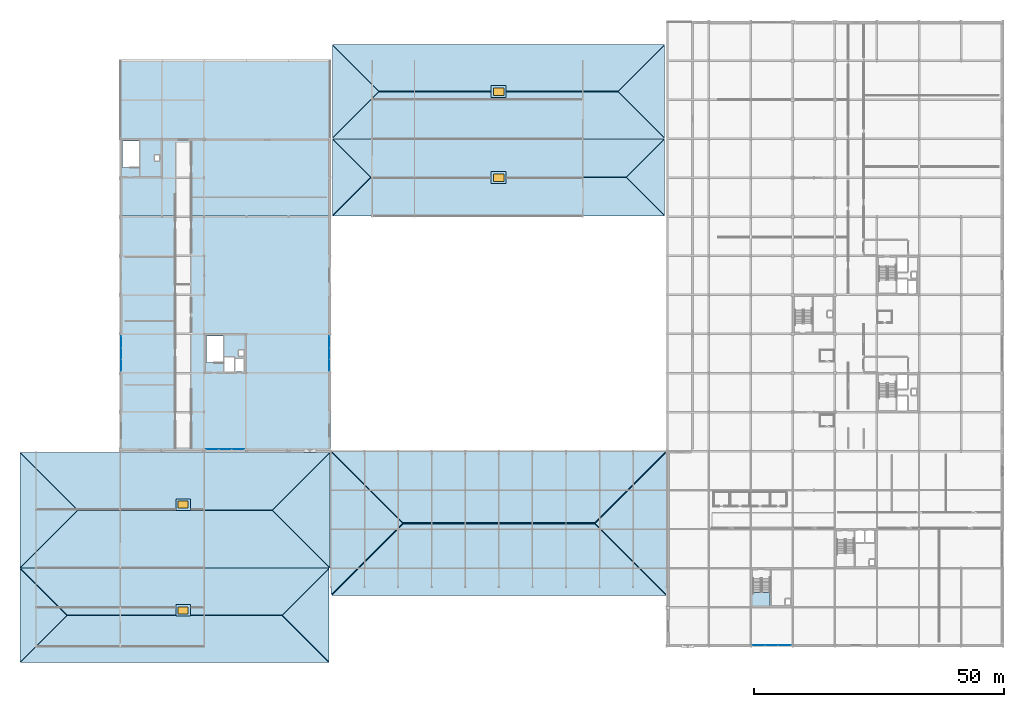
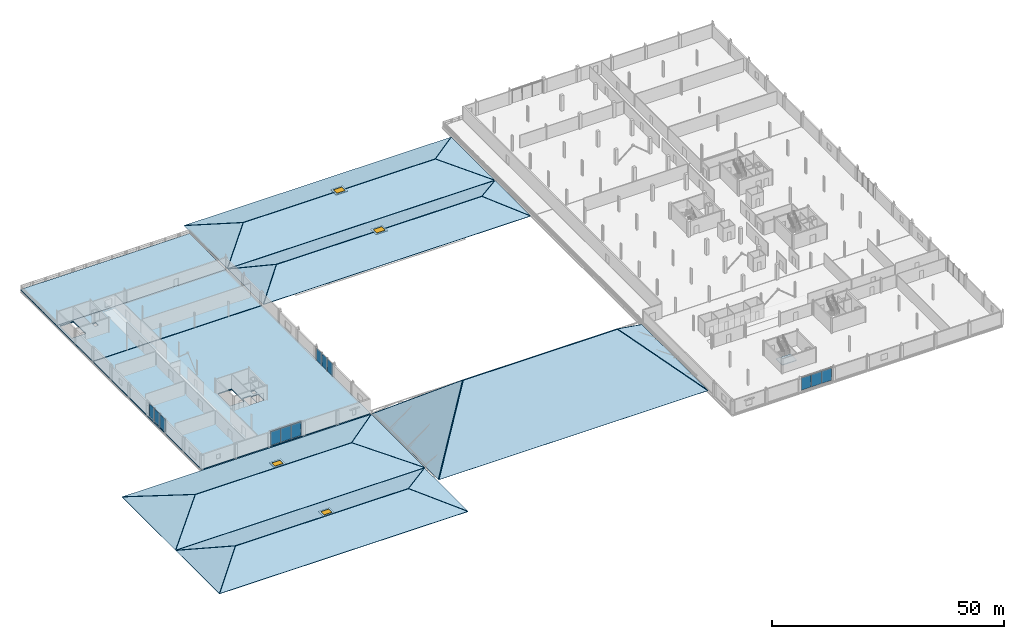
# One storey, part 52 of 77: 28 slabs, 12 plates, 4 windows, 4 openings, 5 elements without a shape of their own.
"""IFC4 building model written with IfcOpenShell, lengths in metres."""

import ifcopenshell
import ifcopenshell.guid

model = None  # the IFC model being written
_history = None  # IfcOwnerHistory: only IFC2X3 demands one
_inside = {}  # id of a spatial element -> (the spatial element, [elements in it])
_under = {}  # id of a project, library or spatial element -> (it, [spatial elements below it])
_declared = {}  # id of a project -> (the project, [libraries it declares])
_typed = {}  # id of a type object -> (the type object, [elements of that type])
_made_of = {}  # id of a material, layer set ... -> (it, [elements and type objects made of it])


def new_model(schema):
    """Start an empty IFC model of exactly this schema.

    Asked for "IFC4X3", IfcOpenShell would pick the latest addendum, in which some entities
    have other attributes; the version numbers below select the first issue.
    IFC2X3 requires an IfcOwnerHistory on every rooted entity: one is made here for all.
    """
    global model, _history
    if schema == "IFC4X3":
        model = ifcopenshell.file(schema_version=(4, 3, 0, 0))
    else:
        model = ifcopenshell.file(schema=schema)
    _inside.clear()
    _under.clear()
    _declared.clear()
    _typed.clear()
    _made_of.clear()
    _history = None
    if model.schema == "IFC2X3":
        org = make("IfcOrganization", Name="unknown")
        user = make(
            "IfcPersonAndOrganization",
            ThePerson=make("IfcPerson", FamilyName="unknown"),
            TheOrganization=org,
        )
        app = make(
            "IfcApplication",
            ApplicationDeveloper=org,
            Version="unknown",
            ApplicationFullName="unknown",
            ApplicationIdentifier="unknown",
        )
        _history = make(
            "IfcOwnerHistory",
            OwningUser=user,
            OwningApplication=app,
            ChangeAction="ADDED",
            CreationDate=0,
        )
    return model


def make(cls, **values):
    """One entity of the class cls with the attributes given. An attribute that is None is left unset."""
    return model.create_entity(
        cls, **{name: value for name, value in values.items() if value is not None}
    )


def rooted(cls, **values):
    """An entity with a GlobalId (a new one), such as an element, a storey or a relation."""
    return make(cls, GlobalId=ifcopenshell.guid.new(), OwnerHistory=_history, **values)


def si_unit(unit_type, name, prefix=None):
    """IfcSIUnit, for example si_unit("LENGTHUNIT", "METRE", prefix="MILLI")."""
    return make("IfcSIUnit", UnitType=unit_type, Prefix=prefix, Name=name)


def assignment(units):
    """IfcUnitAssignment: the units of a project."""
    return None if units is None else make("IfcUnitAssignment", Units=units)


def point(xyz):
    """IfcCartesianPoint."""
    return None if xyz is None else make("IfcCartesianPoint", Coordinates=xyz)


def direction(xyz):
    """IfcDirection."""
    return None if xyz is None else make("IfcDirection", DirectionRatios=xyz)


def frame(location, z_axis=None, x_axis=None):
    """IfcAxis2Placement3D, a coordinate frame: its origin and axes. An axis left out is left unset."""
    return make(
        "IfcAxis2Placement3D",
        Location=point(location),
        Axis=direction(z_axis),
        RefDirection=direction(x_axis),
    )


def frame_2d(location, x_axis=None):
    """IfcAxis2Placement2D, a coordinate frame in the plane: its origin and x axis."""
    return make(
        "IfcAxis2Placement2D", Location=point(location), RefDirection=direction(x_axis)
    )


def origin():
    """The frame at (0, 0, 0) with its axes left unset."""
    return frame((0.0, 0.0, 0.0))


def origin_2d():
    """The frame at (0, 0) in the plane with its x axis left unset."""
    return frame_2d((0.0, 0.0))


def place(relative_to, where):
    """IfcLocalPlacement: puts the frame where relative to a parent placement (None: the world)."""
    return make(
        "IfcLocalPlacement", PlacementRelTo=relative_to, RelativePlacement=where
    )


def context(
    kind, dimensions, precision=None, world=None, true_north=None, identifier=None
):
    """IfcGeometricRepresentationContext, for example the 3D "Model" context."""
    return make(
        "IfcGeometricRepresentationContext",
        ContextIdentifier=identifier,
        ContextType=kind,
        CoordinateSpaceDimension=dimensions,
        Precision=precision,
        WorldCoordinateSystem=world,
        TrueNorth=true_north,
    )


def subcontext(parent, identifier, kind, view, scale=None):
    """IfcGeometricRepresentationSubContext, for example "Body" below "Model"."""
    return make(
        "IfcGeometricRepresentationSubContext",
        ContextIdentifier=identifier,
        ContextType=kind,
        ParentContext=parent,
        TargetScale=scale,
        TargetView=view,
    )


def project(units=None, contexts=None):
    """IfcProject with its units and contexts."""
    return rooted(
        "IfcProject",
        Name="project",
        RepresentationContexts=contexts,
        UnitsInContext=assignment(units),
    )


def spatial(cls, under=None, at=None, **own):
    """A site, building, storey or space (cls), placed at a placement, below another one or the project."""
    s = rooted(cls, ObjectPlacement=at, **own)
    if under is not None:
        _under.setdefault(under.id(), (under, []))[1].append(s)
    return s


def polyline(points):
    """IfcPolyline through the points."""
    return make("IfcPolyline", Points=[point(p) for p in points])


def profile(cls, at=None, kind="AREA", **sizes):
    """A parametric profile (cls). Its sizes go by their IFC names, for example OverallWidth=200.0."""
    return make(cls, ProfileType=kind, Position=at, **sizes)


def rectangle(**sizes):
    """IfcRectangleProfileDef."""
    return profile("IfcRectangleProfileDef", **sizes)


def outline(outer, holes=None, kind="AREA"):
    """IfcArbitraryClosedProfileDef: a profile drawn as a closed curve; with holes, ...WithVoids."""
    if holes is None:
        return make("IfcArbitraryClosedProfileDef", ProfileType=kind, OuterCurve=outer)
    return make(
        "IfcArbitraryProfileDefWithVoids",
        ProfileType=kind,
        OuterCurve=outer,
        InnerCurves=holes,
    )


def extrude(swept, where, along, depth):
    """IfcExtrudedAreaSolid: the profile swept, set in the frame where, extruded along a direction by depth."""
    return make(
        "IfcExtrudedAreaSolid",
        SweptArea=swept,
        Position=where,
        ExtrudedDirection=direction(along),
        Depth=depth,
    )


def shape(context_of_items, identifier, shape_type, items):
    """IfcShapeRepresentation: the items that make up one representation, for example the "Body"."""
    return make(
        "IfcShapeRepresentation",
        ContextOfItems=context_of_items,
        RepresentationIdentifier=identifier,
        RepresentationType=shape_type,
        Items=items,
    )


def material(Name=None, Category=None):
    """IfcMaterial."""
    return make("IfcMaterial", Name=Name, Category=Category)


def layer(
    of_material, thickness, ventilated=None, Name=None, Category=None, Priority=None
):
    """IfcMaterialLayer: one layer of a wall or slab, of a material (None: an air gap)."""
    return make(
        "IfcMaterialLayer",
        Material=of_material,
        LayerThickness=thickness,
        IsVentilated=ventilated,
        Name=Name,
        Category=Category,
        Priority=Priority,
    )


def layer_set(layers, Name=None):
    """IfcMaterialLayerSet."""
    return make("IfcMaterialLayerSet", MaterialLayers=layers, LayerSetName=Name)


def made_of(thing, what):
    """Note that an element or type object is made of a material, layer set ...; save() writes the relation."""
    if what is not None:
        _made_of.setdefault(what.id(), (what, []))[1].append(thing)
    return thing


def type_object(cls, material=None, **own):
    """A type object (cls), such as IfcWallType, which elements share."""
    return made_of(rooted(cls, **own), material)


def element(
    cls,
    number,
    at=None,
    inside=None,
    cuts=None,
    type_object=None,
    material=None,
    context=None,
    identifier="Body",
    shape_type=None,
    held_by="IfcProductDefinitionShape",
    body=None,
    shapes=None,
    **own,
):
    """One element of the class cls, such as IfcWall. Its Tag is "e" and its number.

    at: its placement. inside: the storey or other place that contains it. cuts: it is an
    opening in that element (IfcRelVoidsElement). A single representation is given by context,
    identifier, shape_type and body (its items); several are given by shapes. held_by: the class
    of the entity that holds the representations. save() writes the other relations.
    """
    e = rooted(cls, Tag="e%d" % number, ObjectPlacement=at, **own)
    if body is not None:
        shapes = [shape(context, identifier, shape_type, body)]
    if shapes is not None:
        e.Representation = make(held_by, Representations=shapes)
    if inside is not None:
        _inside.setdefault(inside.id(), (inside, []))[1].append(e)
    if cuts is not None:
        rooted(
            "IfcRelVoidsElement", RelatingBuildingElement=cuts, RelatedOpeningElement=e
        )
    if type_object is not None:
        _typed.setdefault(type_object.id(), (type_object, []))[1].append(e)
    return made_of(e, material)


def fill(opening, filler):
    """IfcRelFillsElement: the door or window that sits in an opening."""
    return rooted(
        "IfcRelFillsElement",
        RelatingOpeningElement=opening,
        RelatedBuildingElement=filler,
    )


def aggregate(whole, parts):
    """IfcRelAggregates: a whole, such as a stair, and the parts it consists of."""
    return rooted("IfcRelAggregates", RelatingObject=whole, RelatedObjects=parts)


def save(model, path):
    """Write the relations noted so far, then the file.

    IfcRelAggregates (storeys below a building ...), IfcRelContainedInSpatialStructure (elements
    in a storey), IfcRelDefinesByType, IfcRelAssociatesMaterial and IfcRelDeclares: one each for
    every whole, place, type object, material and project.
    """
    for whole, parts in _under.values():
        aggregate(whole, parts)
    for where, things in _inside.values():
        rooted(
            "IfcRelContainedInSpatialStructure",
            RelatedElements=things,
            RelatingStructure=where,
        )
    for kind, things in _typed.values():
        rooted("IfcRelDefinesByType", RelatedObjects=things, RelatingType=kind)
    for what, things in _made_of.values():
        rooted("IfcRelAssociatesMaterial", RelatedObjects=things, RelatingMaterial=what)
    for by, libraries in _declared.values():
        rooted("IfcRelDeclares", RelatingContext=by, RelatedDefinitions=libraries)
    model.write(path)


model = new_model("IFC4")

# Units and contexts
model_context = context("Model", 3, precision=1e-05, world=origin(), true_north=direction((0.0, 1.0)))
body_context = subcontext(model_context, "Body", "Model", "MODEL_VIEW")
ifc_project = project(units=[si_unit("LENGTHUNIT", "METRE"), si_unit("AREAUNIT", "SQUARE_METRE"), si_unit("VOLUMEUNIT", "CUBIC_METRE"), si_unit("PLANEANGLEUNIT", "RADIAN"), si_unit("MASSUNIT", "GRAM", prefix="KILO")], contexts=[model_context])

# Site, building, storey
site_placement = place(None, origin())
site = spatial("IfcSite", under=ifc_project, at=site_placement, CompositionType="ELEMENT")
building_placement = place(site_placement, origin())
building = spatial("IfcBuilding", under=site, at=building_placement, Name="Nabrawat Pavilion Hospital", CompositionType="ELEMENT")
storey_placement = place(building_placement, frame((0.0, 0.0, 14.85009765625)))
storey = spatial("IfcBuildingStorey", under=building, at=storey_placement, Name="L03", CompositionType="ELEMENT", Elevation=14.85009765625)

# Curtain wall, plates
ifc_material_1 = material(Name="Anodised Aluminium", Category="aluminium")
curtain_wall_type_1 = type_object("IfcCurtainWallType", Name="Emergency Concourse Glazed Screen", PredefinedType="USERDEFINED", material=ifc_material_1)
curtain_wall_1_placement = place(storey_placement, origin())
curtain_wall_1 = element("IfcCurtainWall", 1, at=curtain_wall_1_placement, inside=storey, type_object=curtain_wall_type_1, Name="L03 Emergency Concourse Glazed Screen 140", ObjectType="CURTAIN WALL", PredefinedType="USERDEFINED")
ifc_material_2 = material(Name="Double-Glazed Low-E Glass", Category="glass")
ifc_layer_1 = layer(ifc_material_2, 0.030029296875, Name="Double-Glazed Low-E Glass")
ifc_layer_set_1 = layer_set([ifc_layer_1], Name="Double-Glazed Low-E Glass")
plate_type_1 = type_object("IfcPlateType", Name="Emergency Concourse Glazed Screen Low-E Solar Panel 30", PredefinedType="CURTAIN_PANEL", material=ifc_layer_set_1)
plate_1_placement = place(storey_placement, frame((17.02001953125, 56.1474609375, 0.06982421875), z_axis=(0.0, 0.0, 1.0), x_axis=(0.0, 1.0, 0.0)))
plate_1 = element("IfcPlate", 2, at=plate_1_placement, type_object=plate_type_1, Name="CW-ED-01 panel 1.1", PredefinedType="CURTAIN_PANEL", context=body_context, shape_type="SweptSolid", body=[
    extrude(rectangle(XDim=2.264892578125, YDim=0.030029296875, at=origin_2d()), origin(), (0.0, 0.0, 1.0), 3.300048828125),
])
plate_2_placement = place(storey_placement, frame((17.02001953125, 58.5, 0.06982421875), z_axis=(0.0, 0.0, 1.0), x_axis=(0.0, 1.0, 0.0)))
plate_2 = element("IfcPlate", 3, at=plate_2_placement, type_object=plate_type_1, Name="CW-ED-01 panel 2.1", PredefinedType="CURTAIN_PANEL", context=body_context, shape_type="SweptSolid", body=[
    extrude(rectangle(XDim=2.300048828125, YDim=0.030029296875, at=origin_2d()), origin(), (0.0, 0.0, 1.0), 3.300048828125),
])
plate_3_placement = place(storey_placement, frame((17.02001953125, 60.8525390625, 0.06982421875), z_axis=(0.0, 0.0, 1.0), x_axis=(0.0, 1.0, 0.0)))
plate_3 = element("IfcPlate", 4, at=plate_3_placement, type_object=plate_type_1, Name="CW-ED-01 panel 3.1", PredefinedType="CURTAIN_PANEL", context=body_context, shape_type="SweptSolid", body=[
    extrude(rectangle(XDim=2.264892578125, YDim=0.030029296875, at=origin_2d()), origin(), (0.0, 0.0, 1.0), 3.300048828125),
])
aggregate(curtain_wall_1, [plate_1, plate_2, plate_3])

curtain_wall_2_placement = place(storey_placement, origin())
curtain_wall_2 = element("IfcCurtainWall", 5, at=curtain_wall_2_placement, inside=storey, type_object=curtain_wall_type_1, Name="L03 Emergency Concourse Glazed Screen 141", ObjectType="CURTAIN WALL", PredefinedType="USERDEFINED")
plate_4_placement = place(storey_placement, frame((35.230712890625, 39.340087890625, 0.070068359375), z_axis=(0.0, 0.0, 1.0), x_axis=(1.0, 0.0, 0.0)))
plate_4 = element("IfcPlate", 6, at=plate_4_placement, type_object=plate_type_1, Name="CW-ED-01 panel 1.1", PredefinedType="CURTAIN_PANEL", context=body_context, shape_type="SweptSolid", body=[
    extrude(rectangle(XDim=2.481689453125, YDim=0.030029296875, at=origin_2d()), origin(), (0.0, 0.0, 1.0), 3.6298828125),
])
plate_5_placement = place(storey_placement, frame((37.800048828125, 39.340087890625, 0.070068359375), z_axis=(0.0, 0.0, 1.0), x_axis=(1.0, 0.0, 0.0)))
plate_5 = element("IfcPlate", 7, at=plate_5_placement, type_object=plate_type_1, Name="CW-ED-01 panel 2.1", PredefinedType="CURTAIN_PANEL", context=body_context, shape_type="SweptSolid", body=[
    extrude(rectangle(XDim=2.5166015625, YDim=0.030029296875, at=origin_2d()), origin(), (0.0, 0.0, 1.0), 3.6298828125),
])
plate_6_placement = place(storey_placement, frame((40.369140625, 39.340087890625, 0.070068359375), z_axis=(0.0, 0.0, 1.0), x_axis=(1.0, 0.0, 0.0)))
plate_6 = element("IfcPlate", 8, at=plate_6_placement, type_object=plate_type_1, Name="CW-ED-01 panel 3.1", PredefinedType="CURTAIN_PANEL", context=body_context, shape_type="SweptSolid", body=[
    extrude(rectangle(XDim=2.481689453125, YDim=0.030029296875, at=origin_2d()), origin(), (0.0, 0.0, 1.0), 3.6298828125),
])
aggregate(curtain_wall_2, [plate_4, plate_5, plate_6])

curtain_wall_3_placement = place(storey_placement, origin())
curtain_wall_3 = element("IfcCurtainWall", 9, at=curtain_wall_3_placement, inside=storey, type_object=curtain_wall_type_1, Name="L03 Emergency Concourse Glazed Screen 142", ObjectType="CURTAIN WALL", PredefinedType="USERDEFINED")
plate_7_placement = place(storey_placement, frame((58.580078125, 56.1474609375, 0.06982421875), z_axis=(0.0, 0.0, 1.0), x_axis=(0.0, 1.0, 0.0)))
plate_7 = element("IfcPlate", 10, at=plate_7_placement, type_object=plate_type_1, Name="CW-ED-01 panel 1.1", PredefinedType="CURTAIN_PANEL", context=body_context, shape_type="SweptSolid", body=[
    extrude(rectangle(XDim=2.264892578125, YDim=0.030029296875, at=origin_2d()), origin(), (0.0, 0.0, 1.0), 3.300048828125),
])
plate_8_placement = place(storey_placement, frame((58.580078125, 58.5, 0.06982421875), z_axis=(0.0, 0.0, 1.0), x_axis=(0.0, 1.0, 0.0)))
plate_8 = element("IfcPlate", 11, at=plate_8_placement, type_object=plate_type_1, Name="CW-ED-01 panel 2.1", PredefinedType="CURTAIN_PANEL", context=body_context, shape_type="SweptSolid", body=[
    extrude(rectangle(XDim=2.300048828125, YDim=0.030029296875, at=origin_2d()), origin(), (0.0, 0.0, 1.0), 3.300048828125),
])
plate_9_placement = place(storey_placement, frame((58.580078125, 60.8525390625, 0.06982421875), z_axis=(0.0, 0.0, 1.0), x_axis=(0.0, 1.0, 0.0)))
plate_9 = element("IfcPlate", 12, at=plate_9_placement, type_object=plate_type_1, Name="CW-ED-01 panel 3.1", PredefinedType="CURTAIN_PANEL", context=body_context, shape_type="SweptSolid", body=[
    extrude(rectangle(XDim=2.264892578125, YDim=0.030029296875, at=origin_2d()), origin(), (0.0, 0.0, 1.0), 3.300048828125),
])
aggregate(curtain_wall_3, [plate_7, plate_8, plate_9])

# Slabs
ifc_material_3 = material(Name="Concrete C35/45", Category="concrete")
ifc_layer_2 = layer(ifc_material_3, 0.22998046875, Name="Concrete C35/45")
ifc_layer_set_2 = layer_set([ifc_layer_2], Name="Concrete C35/45")
slab_type_1 = type_object("IfcSlabType", Name="Exterior Clinical Terrace Slab 230", PredefinedType="FLOOR", material=ifc_layer_set_2)
slab_1_placement = place(storey_placement, frame((0.0, 0.0, -0.22998046875)))
element("IfcSlab", 13, at=slab_1_placement, inside=storey, type_object=slab_type_1, Name="L03 Walkable Clinical Terrace Slab T_L03_V3_NORTH", PredefinedType="FLOOR", context=body_context, shape_type="SweptSolid", body=[
    extrude(outline(polyline([(58.800048828125, 101.39990234375), (58.800048828125, 117.0), (16.800048828125, 117.0), (16.800048828125, 101.39990234375), (58.800048828125, 101.39990234375)])), origin(), (0.0, 0.0, 1.0), 0.22998046875),
])
ifc_layer_3 = layer(ifc_material_3, 0.219970703125, Name="Concrete C35/45")
ifc_layer_set_3 = layer_set([ifc_layer_3], Name="Concrete C35/45")
slab_type_2 = type_object("IfcSlabType", Name="Main Hall Hipped Roof Deck Slab 220", PredefinedType="ROOF", material=ifc_layer_set_3)
slab_2_placement = place(storey_placement, frame((59.089111328125, 10.199951171875, 0.0), z_axis=(0.0, -0.659146231985, 0.75201479032), x_axis=(1.0, 0.0, 0.0)))
element("IfcSlab", 14, at=slab_2_placement, inside=storey, type_object=slab_type_2, Name="Main Hall Pavilion South Hipped Roof Facet", PredefinedType="ROOF", context=body_context, shape_type="SweptSolid", body=[
    extrude(outline(polyline([(0.0, 0.0), (66.721923828125, 0.0), (52.48486328125, 18.930590418725746), (14.23681640625, 18.930590418725746), (0.0, 0.0)])), origin(), (0.0, 0.0, -1.0), 0.219970703125),
])
slab_3_placement = place(storey_placement, frame((125.81103515625, 38.949951171875, 0.0), z_axis=(0.0, 0.659152624719, 0.752009186996), x_axis=(-1.0, 0.0, 0.0)))
element("IfcSlab", 15, at=slab_3_placement, inside=storey, type_object=slab_type_2, Name="Main Hall Pavilion North Hipped Roof Facet", PredefinedType="ROOF", context=body_context, shape_type="SweptSolid", body=[
    extrude(outline(polyline([(0.0, 0.0), (66.721923828125, 0.0), (52.485107421875, 18.930406822048823), (14.237060546875, 18.930406822048823), (0.0, 0.0)])), origin(), (0.0, 0.0, -1.0), 0.219970703125),
])
slab_4_placement = place(storey_placement, frame((58.949951171875, 38.81103515625, 0.0), z_axis=(-0.659146231985, 0.0, 0.75201479032), x_axis=(0.0, -1.0, 0.0)))
element("IfcSlab", 16, at=slab_4_placement, inside=storey, type_object=slab_type_2, Name="Main Hall Pavilion West Hipped Roof Facet", PredefinedType="ROOF", context=body_context, shape_type="SweptSolid", body=[
    extrude(outline(polyline([(0.0, 0.0), (28.471923828125, 0.0), (14.236083984375, 18.93059041872575), (0.0, 0.0)])), origin(), (0.0, 0.0, -1.0), 0.219970703125),
])
slab_5_placement = place(storey_placement, frame((125.949951171875, 10.339111328125, 0.0), z_axis=(0.659152624719, 0.0, 0.752009186996), x_axis=(0.0, 1.0, 0.0)))
element("IfcSlab", 17, at=slab_5_placement, inside=storey, type_object=slab_type_2, Name="Main Hall Pavilion East Hipped Roof Facet", PredefinedType="ROOF", context=body_context, shape_type="SweptSolid", body=[
    extrude(outline(polyline([(0.0, 0.0), (28.471923828125, 0.0), (14.23583984375, 18.930406822048827), (0.0, 0.0)])), origin(), (0.0, 0.0, -1.0), 0.219970703125),
])

# Curtain wall, plates
curtain_wall_type_2 = type_object("IfcCurtainWallType", Name="Outpatient Boulevard Curtain Wall", PredefinedType="USERDEFINED", material=ifc_material_1)
curtain_wall_4_placement = place(storey_placement, origin())
curtain_wall_4 = element("IfcCurtainWall", 18, at=curtain_wall_4_placement, inside=storey, type_object=curtain_wall_type_2, Name="L03 Outpatient Boulevard Curtain Wall 143", ObjectType="CURTAIN WALL", PredefinedType="USERDEFINED")
ifc_layer_4 = layer(ifc_material_2, 0.02392578125, Name="Double-Glazed Low-E Glass")
ifc_layer_set_4 = layer_set([ifc_layer_4], Name="Double-Glazed Low-E Glass")
plate_type_2 = type_object("IfcPlateType", Name="Outpatient Boulevard Curtain Wall Low-E Solar Panel 24", PredefinedType="CURTAIN_PANEL", material=ifc_layer_set_4)
plate_10_placement = place(storey_placement, frame((144.42822265625, 0.219970703125, 0.06005859375), z_axis=(0.0, 0.0, 1.0), x_axis=(1.0, 0.0, 0.0)))
plate_10 = element("IfcPlate", 19, at=plate_10_placement, type_object=plate_type_2, Name="CW-OPC-01 panel 1.1", PredefinedType="CURTAIN_PANEL", context=body_context, shape_type="SweptSolid", body=[
    extrude(rectangle(XDim=2.49658203125, YDim=0.02392578125, at=origin_2d()), origin(), (0.0, 0.0, 1.0), 3.280029296875),
])
plate_11_placement = place(storey_placement, frame((147.0, 0.219970703125, 0.06005859375), z_axis=(0.0, 0.0, 1.0), x_axis=(1.0, 0.0, 0.0)))
plate_11 = element("IfcPlate", 20, at=plate_11_placement, type_object=plate_type_2, Name="CW-OPC-01 panel 2.1", PredefinedType="CURTAIN_PANEL", context=body_context, shape_type="SweptSolid", body=[
    extrude(rectangle(XDim=2.526611328125, YDim=0.02392578125, at=origin_2d()), origin(), (0.0, 0.0, 1.0), 3.280029296875),
])
plate_12_placement = place(storey_placement, frame((149.57177734375, 0.219970703125, 0.06005859375), z_axis=(0.0, 0.0, 1.0), x_axis=(1.0, 0.0, 0.0)))
plate_12 = element("IfcPlate", 21, at=plate_12_placement, type_object=plate_type_2, Name="CW-OPC-01 panel 3.1", PredefinedType="CURTAIN_PANEL", context=body_context, shape_type="SweptSolid", body=[
    extrude(rectangle(XDim=2.49658203125, YDim=0.02392578125, at=origin_2d()), origin(), (0.0, 0.0, 1.0), 3.280029296875),
])
aggregate(curtain_wall_4, [plate_10, plate_11, plate_12])

# Slabs
ifc_layer_5 = layer(ifc_material_3, 0.179931640625, Name="Concrete C35/45")
ifc_layer_set_5 = layer_set([ifc_layer_5], Name="Concrete C35/45")
slab_type_3 = type_object("IfcSlabType", Name="Pavilion Hipped Roof Deck Slab 180", PredefinedType="ROOF", material=ifc_layer_set_5)
slab_6_placement = place(storey_placement, frame((-3.1416015625, -3.199951171875, 0.0), z_axis=(0.0, -0.357627793396, 0.933864209289), x_axis=(1.0, 0.0, 0.0)))
element("IfcSlab", 22, at=slab_6_placement, inside=storey, type_object=slab_type_3, Name="Emergency South Pavilion South Hipped Roof Facet", PredefinedType="ROOF", context=body_context, shape_type="SweptSolid", body=[
    extrude(outline(polyline([(0.0, 0.0), (61.63330078125, 0.0), (52.29052734375, 10.00311677164337), (9.342529296875, 10.00311677164337), (0.0, 0.0)])), origin(), (0.0, 0.0, -1.0), 0.179931640625),
])
slab_7_placement = place(storey_placement, frame((58.49169921875, 15.60009765625, 0.0), z_axis=(0.0, 0.357619642403, 0.93386733071), x_axis=(-1.0, 0.0, 0.0)))
element("IfcSlab", 23, at=slab_7_placement, inside=storey, type_object=slab_type_3, Name="Emergency South Pavilion North Hipped Roof Facet", PredefinedType="ROOF", context=body_context, shape_type="SweptSolid", body=[
    extrude(outline(polyline([(0.0, 0.0), (61.63330078125, 0.0), (52.290771484375, 10.003344766216127), (9.3427734375, 10.003344766216127), (0.0, 0.0)])), origin(), (0.0, 0.0, -1.0), 0.179931640625),
])
for number, where, z_axis, x_axis, name in (
    (24, (-3.199951171875, 15.54150390625, 0.0), (-0.357627793396, 0.0, 0.933864209289), (0.0, -1.0, 0.0), "Emergency South Pavilion West Hipped Roof Facet"),
    (25, (58.550048828125, -3.1416015625, 0.0), (0.357627793396, 0.0, 0.933864209289), (0.0, 1.0, 0.0), "Emergency South Pavilion East Hipped Roof Facet"),
):
    element("IfcSlab", number, at=place(storey_placement, frame(where, z_axis=z_axis, x_axis=x_axis)), inside=storey, type_object=slab_type_3, Name=name, PredefinedType="ROOF", context=body_context, shape_type="SweptSolid", body=[
        extrude(outline(polyline([(0.0, 0.0), (18.68310546875, 0.0), (9.341552734375, 10.00311677164337), (0.0, 0.0)])), origin(), (0.0, 0.0, -1.0), 0.179931640625),
    ])
for number, where, z_axis, x_axis, name in (
    (26, (-3.15234375, 15.64990234375, 0.0), (0.0, -0.297571094176, 0.954699661627), (1.0, 0.0, 0.0), "Emergency North Pavilion South Hipped Roof Facet"),
    (27, (58.67236328125, 38.75, 0.0), (0.0, 0.297571094176, 0.954699661627), (-1.0, 0.0, 0.0), "Emergency North Pavilion North Hipped Roof Facet"),
):
    element("IfcSlab", number, at=place(storey_placement, frame(where, z_axis=z_axis, x_axis=x_axis)), inside=storey, type_object=slab_type_3, Name=name, PredefinedType="ROOF", context=body_context, shape_type="SweptSolid", body=[
        extrude(outline(polyline([(0.0, 0.0), (61.82470703125, 0.0), (50.3212890625, 12.048230316375422), (11.50341796875, 12.048230316375422), (0.0, 0.0)])), origin(), (0.0, 0.0, -1.0), 0.179931640625),
    ])
for number, where, z_axis, x_axis, name in (
    (28, (-3.199951171875, 38.702392578125, 0.0), (-0.297571094176, 0.0, 0.954699661627), (0.0, -1.0, 0.0), "Emergency North Pavilion West Hipped Roof Facet"),
    (29, (58.719970703125, 15.697509765625, 0.0), (0.297571094176, 0.0, 0.954699661627), (0.0, 1.0, 0.0), "Emergency North Pavilion East Hipped Roof Facet"),
):
    element("IfcSlab", number, at=place(storey_placement, frame(where, z_axis=z_axis, x_axis=x_axis)), inside=storey, type_object=slab_type_3, Name=name, PredefinedType="ROOF", context=body_context, shape_type="SweptSolid", body=[
        extrude(outline(polyline([(0.0, 0.0), (23.0048828125, 0.0), (11.50244140625, 12.048230316375419), (0.0, 0.0)])), origin(), (0.0, 0.0, -1.0), 0.179931640625),
    ])
slab_8_placement = place(storey_placement, frame((59.26318359375, 86.0, 0.0), z_axis=(0.0, -0.383741116468, 0.923440715765), x_axis=(1.0, 0.0, 0.0)))
element("IfcSlab", 30, at=slab_8_placement, inside=storey, type_object=slab_type_3, Name="Diagnostic South Pavilion South Hipped Roof Facet", PredefinedType="ROOF", context=body_context, shape_type="SweptSolid", body=[
    extrude(outline(polyline([(0.0, 0.0), (66.273681640625, 0.0), (58.6357421875, 8.270117139355698), (7.6376953125, 8.270117139355698), (0.0, 0.0)])), origin(), (0.0, 0.0, -1.0), 0.179931640625),
])
slab_9_placement = place(storey_placement, frame((125.536865234375, 101.39990234375, 0.0), z_axis=(0.0, 0.38375157779, 0.923436368433), x_axis=(-1.0, 0.0, 0.0)))
element("IfcSlab", 31, at=slab_9_placement, inside=storey, type_object=slab_type_3, Name="Diagnostic South Pavilion North Hipped Roof Facet", PredefinedType="ROOF", context=body_context, shape_type="SweptSolid", body=[
    extrude(outline(polyline([(0.0, 0.0), (66.273681640625, 0.0), (58.635986328125, 8.269891690492873), (7.637939453125, 8.269891690492873), (0.0, 0.0)])), origin(), (0.0, 0.0, -1.0), 0.179931640625),
])
for number, where, z_axis, x_axis, name in (
    (32, (59.199951171875, 101.3369140625, 0.0), (-0.383741116468, 0.0, 0.923440715765), (0.0, -1.0, 0.0), "Diagnostic South Pavilion West Hipped Roof Facet"),
    (33, (125.60009765625, 86.06298828125, 0.0), (0.383741116468, 0.0, 0.923440715765), (0.0, 1.0, 0.0), "Diagnostic South Pavilion East Hipped Roof Facet"),
):
    element("IfcSlab", number, at=place(storey_placement, frame(where, z_axis=z_axis, x_axis=x_axis)), inside=storey, type_object=slab_type_3, Name=name, PredefinedType="ROOF", context=body_context, shape_type="SweptSolid", body=[
        extrude(outline(polyline([(0.0, 0.0), (15.27392578125, 0.0), (7.636962890625, 8.270117139355698), (0.0, 0.0)])), origin(), (0.0, 0.0, -1.0), 0.179931640625),
    ])
for number, where, z_axis, x_axis, name in (
    (34, (59.252197265625, 101.47998046875, 0.0), (0.0, -0.323492965648, 0.946230575059), (1.0, 0.0, 0.0), "Diagnostic North Pavilion South Hipped Roof Facet"),
    (35, (125.5478515625, 120.199951171875, 0.0), (0.0, 0.323492965648, 0.946230575059), (-1.0, 0.0, 0.0), "Diagnostic North Pavilion North Hipped Roof Facet"),
):
    element("IfcSlab", number, at=place(storey_placement, frame(where, z_axis=z_axis, x_axis=x_axis)), inside=storey, type_object=slab_type_3, Name=name, PredefinedType="ROOF", context=body_context, shape_type="SweptSolid", body=[
        extrude(outline(polyline([(0.0, 0.0), (66.295654296875, 0.0), (56.98681640625, 9.836779294037086), (9.308837890625, 9.836779294037086), (0.0, 0.0)])), origin(), (0.0, 0.0, -1.0), 0.179931640625),
    ])
slab_10_placement = place(storey_placement, frame((59.199951171875, 120.147705078125, 0.0), z_axis=(-0.323492965648, 0.0, 0.946230575059), x_axis=(0.0, -1.0, 0.0)))
element("IfcSlab", 36, at=slab_10_placement, inside=storey, type_object=slab_type_3, Name="Diagnostic North Pavilion West Hipped Roof Facet", PredefinedType="ROOF", context=body_context, shape_type="SweptSolid", body=[
    extrude(outline(polyline([(0.0, 0.0), (18.615478515625, 0.0), (9.3076171875, 9.836779294037084), (0.0, 0.0)])), origin(), (0.0, 0.0, -1.0), 0.179931640625),
])
slab_11_placement = place(storey_placement, frame((125.60009765625, 101.5322265625, 0.0), z_axis=(0.323492965648, 0.0, 0.946230575059), x_axis=(0.0, 1.0, 0.0)))
element("IfcSlab", 37, at=slab_11_placement, inside=storey, type_object=slab_type_3, Name="Diagnostic North Pavilion East Hipped Roof Facet", PredefinedType="ROOF", context=body_context, shape_type="SweptSolid", body=[
    extrude(outline(polyline([(0.0, 0.0), (18.615478515625, 0.0), (9.307861328125, 9.836779294037084), (0.0, 0.0)])), origin(), (0.0, 0.0, -1.0), 0.179931640625),
])

# Stair, slab
stair_type = type_object("IfcStairType", Name="Core Dogleg Escape Stair Assembly", PredefinedType="HALF_TURN_STAIR", material=ifc_material_3)
stair_placement = place(storey_placement, origin())
stair = element("IfcStair", 38, at=stair_placement, inside=storey, type_object=stair_type, Name="L03 Outpatient West Escape Stair Core 8", PredefinedType="HALF_TURN_STAIR")
ifc_layer_6 = layer(ifc_material_3, 0.199951171875, Name="Concrete C35/45")
ifc_layer_set_6 = layer_set([ifc_layer_6], Name="Concrete C35/45")
slab_type_4 = type_object("IfcSlabType", Name="Reinforced Concrete Stair Half-Landing 200", PredefinedType="LANDING", material=ifc_layer_set_6)
slab_12_placement = place(storey_placement, frame((0.0, 0.0, 1.824951171875)))
slab_12 = element("IfcSlab", 39, at=slab_12_placement, type_object=slab_type_4, Name="ST-08 landing 1", PredefinedType="LANDING", context=body_context, shape_type="SweptSolid", body=[
    extrude(outline(polyline([(146.669921875, 8.080078125), (146.669921875, 10.780029296875), (143.080078125, 10.780029296875), (143.080078125, 8.080078125), (146.669921875, 8.080078125)])), origin(), (0.0, 0.0, 1.0), 0.199951171875),
])
aggregate(stair, [slab_12])

# Slab, opening, window
ifc_layer_7 = layer(ifc_material_3, 0.18994140625, Name="Concrete C35/45")
ifc_layer_set_7 = layer_set([ifc_layer_7], Name="Concrete C35/45")
slab_type_5 = type_object("IfcSlabType", Name="Rooflight Monitor Flat Roof Slab 190", PredefinedType="ROOF", material=ifc_layer_set_7)
slab_13_placement = place(storey_placement, frame((0.0, 0.0, 3.5654296875)))
slab_13 = element("IfcSlab", 40, at=slab_13_placement, inside=storey, type_object=slab_type_5, Name="L03 Pavilion Clerestory Skylight Curb Slab 01", PredefinedType="ROOF", context=body_context, shape_type="SweptSolid", body=[
    extrude(outline(polyline([(27.949951171875, 6.050048828125), (30.85009765625, 6.050048828125), (30.85009765625, 8.35009765625), (27.949951171875, 8.35009765625), (27.949951171875, 6.050048828125)]), holes=[polyline([(28.39990234375, 6.5), (28.39990234375, 7.89990234375), (30.39990234375, 7.89990234375), (30.39990234375, 6.5), (28.39990234375, 6.5)])]), origin(), (0.0, 0.0, 1.0), 0.190185546875),
])
opening_1_placement = place(slab_13_placement, frame((29.39990234375, 7.199951171875, -0.010009765625)))
opening_1 = element("IfcOpeningElement", 41, at=opening_1_placement, cuts=slab_13, Name="Opening SKY-02", PredefinedType="OPENING", context=body_context, shape_type="SweptSolid", body=[
    extrude(rectangle(XDim=2.0, YDim=1.39990234375, at=origin_2d()), origin(), (0.0, 0.0, 1.0), 0.210205078125),
])
ifc_material_4 = material(Name="Thermally Broken Aluminium and Solar Glass", Category="aluminium")
window_type_1 = type_object("IfcWindowType", Name="Emergency Pavilion Clerestory Skylight 2000x1400", PartitioningType="SINGLE_PANEL", PredefinedType="SKYLIGHT", material=ifc_material_4)
window_1_placement = place(opening_1_placement, frame((0.0, 0.0, 0.150146484375)))
window_1 = element("IfcWindow", 42, at=window_1_placement, inside=storey, type_object=window_type_1, Name="L03 Roof Daylight Skylight 07", OverallHeight=1.39990234375, OverallWidth=2.0, PartitioningType="SINGLE_PANEL", PredefinedType="SKYLIGHT", context=body_context, shape_type="SweptSolid", body=[
    extrude(rectangle(XDim=2.0, YDim=1.39990234375, at=origin_2d()), origin(), (0.0, 0.0, 1.0), 0.050048828125),
])
fill(opening_1, window_1)

slab_14_placement = place(storey_placement, frame((0.0, 0.0, 3.572265625)))
slab_14 = element("IfcSlab", 43, at=slab_14_placement, inside=storey, type_object=slab_type_5, Name="L03 Pavilion Clerestory Skylight Curb Slab 02", PredefinedType="ROOF", context=body_context, shape_type="SweptSolid", body=[
    extrude(outline(polyline([(27.949951171875, 27.14990234375), (30.85009765625, 27.14990234375), (30.85009765625, 29.449951171875), (27.949951171875, 29.449951171875), (27.949951171875, 27.14990234375)]), holes=[polyline([(28.39990234375, 27.60009765625), (28.39990234375, 29.0), (30.39990234375, 29.0), (30.39990234375, 27.60009765625), (28.39990234375, 27.60009765625)])]), origin(), (0.0, 0.0, 1.0), 0.18994140625),
])
opening_2_placement = place(slab_14_placement, frame((29.39990234375, 28.300048828125, -0.010009765625)))
opening_2 = element("IfcOpeningElement", 44, at=opening_2_placement, cuts=slab_14, Name="Opening SKY-02", PredefinedType="OPENING", context=body_context, shape_type="SweptSolid", body=[
    extrude(rectangle(XDim=2.0, YDim=1.39990234375, at=origin_2d()), origin(), (0.0, 0.0, 1.0), 0.2099609375),
])
window_2_placement = place(opening_2_placement, frame((0.0, 0.0, 0.14990234375)))
window_2 = element("IfcWindow", 45, at=window_2_placement, inside=storey, type_object=window_type_1, Name="L03 Roof Daylight Skylight 08", OverallHeight=1.39990234375, OverallWidth=2.0, PartitioningType="SINGLE_PANEL", PredefinedType="SKYLIGHT", context=body_context, shape_type="SweptSolid", body=[
    extrude(rectangle(XDim=2.0, YDim=1.39990234375, at=origin_2d()), origin(), (0.0, 0.0, 1.0), 0.050048828125),
])
fill(opening_2, window_2)

slab_15_placement = place(storey_placement, frame((0.0, 0.0, 3.16162109375)))
slab_15 = element("IfcSlab", 46, at=slab_15_placement, inside=storey, type_object=slab_type_5, Name="L03 Pavilion Clerestory Skylight Curb Slab 03", PredefinedType="ROOF", context=body_context, shape_type="SweptSolid", body=[
    extrude(outline(polyline([(90.89990234375, 92.449951171875), (93.89990234375, 92.449951171875), (93.89990234375, 94.85009765625), (90.89990234375, 94.85009765625), (90.89990234375, 92.449951171875)]), holes=[polyline([(91.35009765625, 92.89990234375), (91.35009765625, 94.39990234375), (93.449951171875, 94.39990234375), (93.449951171875, 92.89990234375), (91.35009765625, 92.89990234375)])]), origin(), (0.0, 0.0, 1.0), 0.190185546875),
])
opening_3_placement = place(slab_15_placement, frame((92.39990234375, 93.64990234375, -0.010009765625)))
opening_3 = element("IfcOpeningElement", 47, at=opening_3_placement, cuts=slab_15, Name="Opening SKY-03", PredefinedType="OPENING", context=body_context, shape_type="SweptSolid", body=[
    extrude(rectangle(XDim=2.10009765625, YDim=1.5, at=origin_2d()), origin(), (0.0, 0.0, 1.0), 0.210205078125),
])
window_type_2 = type_object("IfcWindowType", Name="Diagnostic Pavilion Skylight 2100x1500", PartitioningType="SINGLE_PANEL", PredefinedType="SKYLIGHT", material=ifc_material_4)
window_3_placement = place(opening_3_placement, frame((0.0, 0.0, 0.150146484375)))
window_3 = element("IfcWindow", 48, at=window_3_placement, inside=storey, type_object=window_type_2, Name="L03 Roof Daylight Skylight 09", OverallHeight=1.5, OverallWidth=2.10009765625, PartitioningType="SINGLE_PANEL", PredefinedType="SKYLIGHT", context=body_context, shape_type="SweptSolid", body=[
    extrude(rectangle(XDim=2.10009765625, YDim=1.5, at=origin_2d()), origin(), (0.0, 0.0, 1.0), 0.050048828125),
])
fill(opening_3, window_3)

slab_16_placement = place(storey_placement, frame((0.0, 0.0, 3.170166015625)))
slab_16 = element("IfcSlab", 49, at=slab_16_placement, inside=storey, type_object=slab_type_5, Name="L03 Pavilion Clerestory Skylight Curb Slab 04", PredefinedType="ROOF", context=body_context, shape_type="SweptSolid", body=[
    extrude(outline(polyline([(90.89990234375, 109.60009765625), (93.89990234375, 109.60009765625), (93.89990234375, 112.0), (90.89990234375, 112.0), (90.89990234375, 109.60009765625)]), holes=[polyline([(91.35009765625, 110.050048828125), (91.35009765625, 111.550048828125), (93.449951171875, 111.550048828125), (93.449951171875, 110.050048828125), (91.35009765625, 110.050048828125)])]), origin(), (0.0, 0.0, 1.0), 0.18994140625),
])
opening_4_placement = place(slab_16_placement, frame((92.39990234375, 110.800048828125, -0.010009765625)))
opening_4 = element("IfcOpeningElement", 50, at=opening_4_placement, cuts=slab_16, Name="Opening SKY-03", PredefinedType="OPENING", context=body_context, shape_type="SweptSolid", body=[
    extrude(rectangle(XDim=2.10009765625, YDim=1.5, at=origin_2d()), origin(), (0.0, 0.0, 1.0), 0.2099609375),
])
window_4_placement = place(opening_4_placement, frame((0.0, 0.0, 0.14990234375)))
window_4 = element("IfcWindow", 51, at=window_4_placement, inside=storey, type_object=window_type_2, Name="L03 Roof Daylight Skylight 10", OverallHeight=1.5, OverallWidth=2.10009765625, PartitioningType="SINGLE_PANEL", PredefinedType="SKYLIGHT", context=body_context, shape_type="SweptSolid", body=[
    extrude(rectangle(XDim=2.10009765625, YDim=1.5, at=origin_2d()), origin(), (0.0, 0.0, 1.0), 0.050048828125),
])
fill(opening_4, window_4)

# Slabs
ifc_layer_8 = layer(ifc_material_3, 0.27001953125, Name="Concrete C35/45")
ifc_layer_set_8 = layer_set([ifc_layer_8], Name="Concrete C35/45")
slab_type_6 = type_object("IfcSlabType", Name="Surgical Vibration-Controlled Slab 270", PredefinedType="FLOOR", material=ifc_layer_set_8)
slab_17_placement = place(storey_placement, frame((0.0, 0.0, -0.27001953125)))
element("IfcSlab", 52, at=slab_17_placement, inside=storey, type_object=slab_type_6, Name="L03 Structural Floor Slab P_L03_V3_S", PredefinedType="FLOOR", context=body_context, shape_type="SweptSolid", body=[
    extrude(outline(polyline([(16.800048828125, 39.1201171875), (58.800048828125, 39.1201171875), (58.800048828125, 85.800048828125), (16.800048828125, 85.800048828125), (16.800048828125, 39.1201171875)]), holes=[polyline([(39.719970703125, 54.89990234375), (39.719970703125, 57.5), (41.47998046875, 57.5), (41.47998046875, 54.89990234375), (39.719970703125, 54.89990234375)]), polyline([(40.550048828125, 58.050048828125), (40.550048828125, 59.14990234375), (41.449951171875, 59.14990234375), (41.449951171875, 58.050048828125), (40.550048828125, 58.050048828125)]), polyline([(37.699951171875, 54.89990234375), (37.699951171875, 57.800048828125), (39.659912109375, 57.800048828125), (39.659912109375, 54.89990234375), (37.699951171875, 54.89990234375)]), polyline([(37.449951171875, 56.669921875), (34.050048828125, 56.669921875), (34.050048828125, 61.949951171875), (37.449951171875, 61.949951171875), (37.449951171875, 56.669921875)])]), origin(), (0.0, 0.0, 1.0), 0.27001953125),
])
slab_18_placement = place(storey_placement, frame((0.0, 0.0, -0.27001953125)))
element("IfcSlab", 53, at=slab_18_placement, inside=storey, type_object=slab_type_6, Name="L03 Structural Floor Slab P_L03_V3_N", PredefinedType="FLOOR", context=body_context, shape_type="SweptSolid", body=[
    extrude(outline(polyline([(16.800048828125, 85.919921875), (58.800048828125, 85.919921875), (58.800048828125, 101.39990234375), (16.800048828125, 101.39990234375), (16.800048828125, 85.919921875)]), holes=[polyline([(24.64990234375, 98.14990234375), (24.64990234375, 97.050048828125), (23.75, 97.050048828125), (23.75, 98.14990234375), (24.64990234375, 98.14990234375)]), polyline([(17.25, 100.949951171875), (20.64990234375, 100.949951171875), (20.64990234375, 95.669921875), (17.25, 95.669921875), (17.25, 100.949951171875)])]), origin(), (0.0, 0.0, 1.0), 0.27001953125),
])

save(model, "model.ifc")
